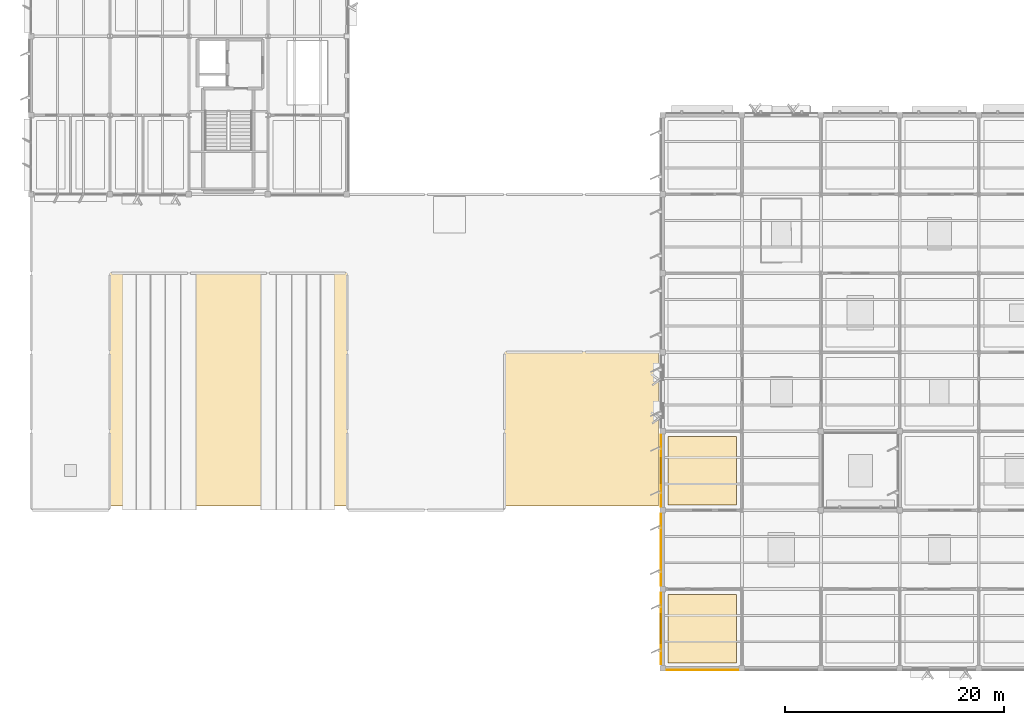
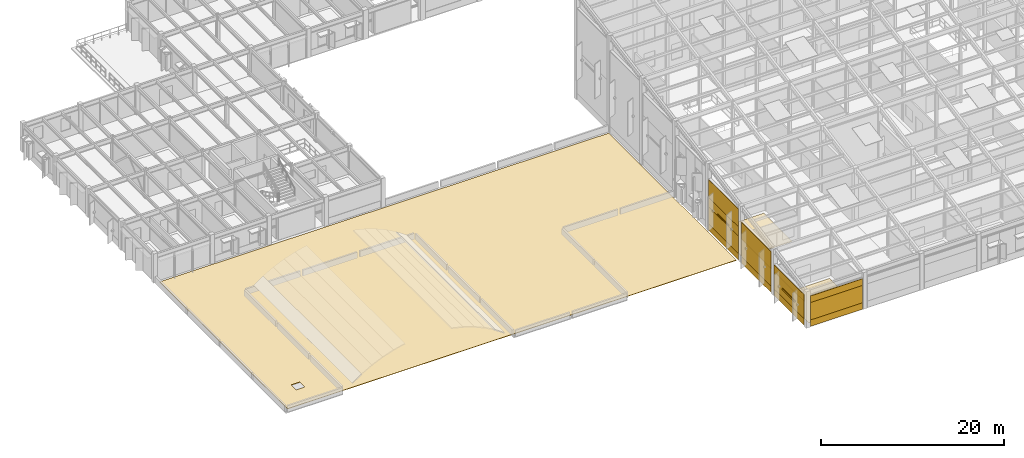
# One storey, part 70 of 82: 15 coverings, 2 shading devices.
"""IFC4 building model written with IfcOpenShell, lengths in metres."""

from ifc_helpers import new_model, si_unit, direction, frame, frame_2d, origin, origin_2d, place, context, subcontext, project, spatial, polyline, rectangle, outline, extrude, material, layer, layer_set, type_object, element, save


model = new_model("IFC4")

# Units and contexts
model_context = context("Model", 3, precision=1e-05, world=origin(), true_north=direction((0.0, 1.0)))
body_context = subcontext(model_context, "Body", "Model", "MODEL_VIEW")
ifc_project = project(units=[si_unit("LENGTHUNIT", "METRE"), si_unit("AREAUNIT", "SQUARE_METRE"), si_unit("VOLUMEUNIT", "CUBIC_METRE"), si_unit("PLANEANGLEUNIT", "RADIAN"), si_unit("MASSUNIT", "GRAM", prefix="KILO")], contexts=[model_context])

# Site, building, storey
site_placement = place(None, origin())
site = spatial("IfcSite", under=ifc_project, at=site_placement, CompositionType="ELEMENT")
building_placement = place(site_placement, origin())
building = spatial("IfcBuilding", under=site, at=building_placement, Name="Sillqori Civic Hall", CompositionType="ELEMENT")
storey_placement = place(building_placement, frame((0.0, 0.0, 14.10009765625)))
storey = spatial("IfcBuildingStorey", under=building, at=storey_placement, Name="L04", CompositionType="ELEMENT", Elevation=14.10009765625)

# Coverings
ifc_material_1 = material(Name="Cochabamba Honed Limestone Cladding", Category="masonry")
ifc_layer_1 = layer(ifc_material_1, 0.044921875)
ifc_layer_set_1 = layer_set([ifc_layer_1], Name="Cochabamba Honed Limestone Cladding")
covering_type_1 = type_object("IfcCoveringType", Name="COV-CLAD-LIME", PredefinedType="CLADDING", material=ifc_layer_set_1)
covering_1_placement = place(storey_placement, frame((71.669921875, 7.02001953125, 0.039794921875), z_axis=(0.0, 0.0, 1.0), x_axis=(-1.0, 0.0, 0.0)))
element("IfcCovering", 1, at=covering_1_placement, inside=storey, type_object=covering_type_1, Name="L04 limestone spandrel cladding L04-09-01-S", PredefinedType="CLADDING", context=body_context, shape_type="SweptSolid", body=[
    extrude(rectangle(XDim=6.5400390625, YDim=0.044921875, at=frame_2d((3.27001953125, 0.0))), origin(), (0.0, 0.0, 1.0), 0.860107421875),
])
covering_2_placement = place(storey_placement, frame((71.669921875, 7.02001953125, 3.219970703125), z_axis=(0.0, 0.0, 1.0), x_axis=(-1.0, 0.0, 0.0)))
element("IfcCovering", 2, at=covering_2_placement, inside=storey, type_object=covering_type_1, Name="L04 limestone frieze cladding L04-09-01-S", PredefinedType="CLADDING", context=body_context, shape_type="SweptSolid", body=[
    extrude(rectangle(XDim=6.5400390625, YDim=0.044921875, at=frame_2d((3.27001953125, 0.0))), origin(), (0.0, 0.0, 1.0), 0.88916015625),
])
covering_3_placement = place(storey_placement, frame((71.669921875, 7.02001953125, 0.89990234375), z_axis=(0.0, 0.0, 1.0), x_axis=(-1.0, 0.0, 0.0)))
element("IfcCovering", 3, at=covering_3_placement, inside=storey, type_object=covering_type_1, Name="L04 Wedge Hall limestone pier cladding L04-09-01-S.1", PredefinedType="CLADDING", context=body_context, shape_type="SweptSolid", body=[
    extrude(rectangle(XDim=6.5400390625, YDim=0.044921875, at=frame_2d((3.27001953125, 0.0))), origin(), (0.0, 0.0, 1.0), 3.209228515625),
])
covering_4_placement = place(storey_placement, frame((64.6201171875, 7.530029296875, 0.039794921875), z_axis=(0.0, 0.0, 1.0), x_axis=(0.0, 1.0, 0.0)))
element("IfcCovering", 4, at=covering_4_placement, inside=storey, type_object=covering_type_1, Name="L04 limestone spandrel cladding L04-09-01-W", PredefinedType="CLADDING", context=body_context, shape_type="SweptSolid", body=[
    extrude(rectangle(XDim=6.5400390625, YDim=0.044921875, at=frame_2d((3.27001953125, 0.0))), origin(), (0.0, 0.0, 1.0), 0.860107421875),
])
covering_5_placement = place(storey_placement, frame((64.6201171875, 7.530029296875, 3.219970703125), z_axis=(0.0, 0.0, 1.0), x_axis=(0.0, 1.0, 0.0)))
element("IfcCovering", 5, at=covering_5_placement, inside=storey, type_object=covering_type_1, Name="L04 limestone frieze cladding L04-09-01-W", PredefinedType="CLADDING", context=body_context, shape_type="SweptSolid", body=[
    extrude(rectangle(XDim=6.5400390625, YDim=0.044921875, at=frame_2d((3.27001953125, 0.0))), origin(), (0.0, 0.0, 1.0), 0.933349609375),
])
covering_6_placement = place(storey_placement, frame((64.6201171875, 7.530029296875, 0.89990234375), z_axis=(0.0, 0.0, 1.0), x_axis=(0.0, 1.0, 0.0)))
element("IfcCovering", 6, at=covering_6_placement, inside=storey, type_object=covering_type_1, Name="L04 Wedge Hall limestone pier cladding L04-09-01-W.1", PredefinedType="CLADDING", context=body_context, shape_type="SweptSolid", body=[
    extrude(rectangle(XDim=6.5400390625, YDim=0.044921875, at=frame_2d((3.27001953125, 0.0))), origin(), (0.0, 0.0, 1.0), 3.25341796875),
])
covering_7_placement = place(storey_placement, frame((64.6201171875, 14.72998046875, 0.039794921875), z_axis=(0.0, 0.0, 1.0), x_axis=(0.0, 1.0, 0.0)))
element("IfcCovering", 7, at=covering_7_placement, inside=storey, type_object=covering_type_1, Name="L04 limestone spandrel cladding L04-09-02-W", PredefinedType="CLADDING", context=body_context, shape_type="SweptSolid", body=[
    extrude(rectangle(XDim=6.5400390625, YDim=0.044921875, at=frame_2d((3.27001953125, 0.0))), origin(), (0.0, 0.0, 1.0), 0.860107421875),
])
covering_8_placement = place(storey_placement, frame((64.6201171875, 14.72998046875, 3.219970703125), z_axis=(0.0, 0.0, 1.0), x_axis=(0.0, 1.0, 0.0)))
element("IfcCovering", 8, at=covering_8_placement, inside=storey, type_object=covering_type_1, Name="L04 limestone frieze cladding L04-09-02-W", PredefinedType="CLADDING", context=body_context, shape_type="SweptSolid", body=[
    extrude(rectangle(XDim=6.5400390625, YDim=0.044921875, at=frame_2d((3.27001953125, 0.0))), origin(), (0.0, 0.0, 1.0), 2.276123046875),
])
covering_9_placement = place(storey_placement, frame((64.6201171875, 14.72998046875, 0.89990234375), z_axis=(0.0, 0.0, 1.0), x_axis=(0.0, 1.0, 0.0)))
element("IfcCovering", 9, at=covering_9_placement, inside=storey, type_object=covering_type_1, Name="L04 Wedge Hall limestone pier cladding L04-09-02-W.1", PredefinedType="CLADDING", context=body_context, shape_type="SweptSolid", body=[
    extrude(rectangle(XDim=6.5400390625, YDim=0.044921875, at=frame_2d((3.27001953125, 0.0))), origin(), (0.0, 0.0, 1.0), 4.59619140625),
])
covering_10_placement = place(storey_placement, frame((64.6201171875, 21.929931640625, 0.039794921875), z_axis=(0.0, 0.0, 1.0), x_axis=(0.0, 1.0, 0.0)))
element("IfcCovering", 10, at=covering_10_placement, inside=storey, type_object=covering_type_1, Name="L04 limestone spandrel cladding L04-09-03-W", PredefinedType="CLADDING", context=body_context, shape_type="SweptSolid", body=[
    extrude(rectangle(XDim=6.5400390625, YDim=0.044921875, at=frame_2d((3.27001953125, 0.0))), origin(), (0.0, 0.0, 1.0), 0.860107421875),
])
covering_11_placement = place(storey_placement, frame((64.6201171875, 21.929931640625, 3.219970703125), z_axis=(0.0, 0.0, 1.0), x_axis=(0.0, 1.0, 0.0)))
element("IfcCovering", 11, at=covering_11_placement, inside=storey, type_object=covering_type_1, Name="L04 limestone mid-spandrel cladding L04-09-03-W", PredefinedType="CLADDING", context=body_context, shape_type="SweptSolid", body=[
    extrude(rectangle(XDim=6.5400390625, YDim=0.044921875, at=frame_2d((3.27001953125, 0.0))), origin(), (0.0, 0.0, 1.0), 1.260009765625),
])
covering_12_placement = place(storey_placement, frame((64.6201171875, 21.929931640625, 0.89990234375), z_axis=(0.0, 0.0, 1.0), x_axis=(0.0, 1.0, 0.0)))
element("IfcCovering", 12, at=covering_12_placement, inside=storey, type_object=covering_type_1, Name="L04 Wedge Hall limestone pier cladding L04-09-03-W.1", PredefinedType="CLADDING", context=body_context, shape_type="SweptSolid", body=[
    extrude(rectangle(XDim=6.5400390625, YDim=0.044921875, at=frame_2d((3.27001953125, 0.0))), origin(), (0.0, 0.0, 1.0), 5.939208984375),
])
ifc_material_2 = material(Name="Dust-Sealed Heavy-Duty Archive Epoxy", Category="resin")
ifc_layer_2 = layer(ifc_material_2, 0.014892578125)
ifc_layer_set_2 = layer_set([ifc_layer_2], Name="Dust-Sealed Heavy-Duty Archive Epoxy")
covering_type_2 = type_object("IfcCoveringType", Name="COV-FLR-EPX", PredefinedType="FLOORING", material=ifc_layer_set_2)
covering_13_placement = place(storey_placement, origin())
element("IfcCovering", 13, at=covering_13_placement, inside=storey, type_object=covering_type_2, Name="Metropolitan Regional Assembly Forum floor finish", PredefinedType="FLOORING", context=body_context, shape_type="SweptSolid", body=[
    extrude(outline(polyline([(65.280029296875, 22.080078125), (71.52001953125, 22.080078125), (71.52001953125, 28.320068359375), (65.280029296875, 28.320068359375), (65.280029296875, 22.080078125)])), origin(), (0.0, 0.0, 1.0), 0.014892578125),
])
ifc_material_3 = material(Name="Slip-Resistant R11 Porcelain Tile", Category="ceramic")
ifc_layer_3 = layer(ifc_material_3, 0.02001953125)
ifc_layer_set_3 = layer_set([ifc_layer_3], Name="Slip-Resistant R11 Porcelain Tile")
covering_type_3 = type_object("IfcCoveringType", Name="COV-FLR-POR", PredefinedType="FLOORING", material=ifc_layer_set_3)
covering_14_placement = place(storey_placement, origin())
element("IfcCovering", 14, at=covering_14_placement, inside=storey, type_object=covering_type_3, Name="Wedge Sky-Lit Public Exhibition Hall floor finish", PredefinedType="FLOORING", context=body_context, shape_type="SweptSolid", body=[
    extrude(outline(polyline([(65.280029296875, 7.679931640625), (71.52001953125, 7.679931640625), (71.52001953125, 13.919921875), (65.280029296875, 13.919921875), (65.280029296875, 7.679931640625)])), origin(), (0.0, 0.0, 1.0), 0.02001953125),
])
ifc_material_4 = material(Name="Insulated Standing-Seam Solar Roof Membrane", Category="membrane")
ifc_layer_4 = layer(ifc_material_4, 0.054931640625)
ifc_layer_set_4 = layer_set([ifc_layer_4], Name="Insulated Standing-Seam Solar Roof Membrane")
covering_type_4 = type_object("IfcCoveringType", Name="COV-ROOF-TPO", PredefinedType="ROOFING", material=ifc_layer_set_4)
covering_15_placement = place(storey_placement, origin())
element("IfcCovering", 15, at=covering_15_placement, inside=storey, type_object=covering_type_4, Name="L04 insulated TPO roof membrane ROOF-FLAT-L03-1", PredefinedType="ROOFING", context=body_context, shape_type="SweptSolid", body=[
    extrude(outline(polyline([(7.60009765625, 22.0), (64.39990234375, 22.0), (64.39990234375, 50.0), (7.60009765625, 50.0), (7.60009765625, 22.0)]), holes=[polyline([(10.25, 24.64990234375), (10.25, 25.75), (11.35009765625, 25.75), (11.35009765625, 24.64990234375), (10.25, 24.64990234375)])]), origin(), (0.0, 0.0, 1.0), 0.054931640625),
])

# Shading devices
ifc_material_5 = material(Name="Anodized Aluminium Solar Control Louvre", Category="aluminium")
shading_device_type_1 = type_object("IfcShadingDeviceType", Name="SHD-CLAU-240", PredefinedType="SHUTTER", material=ifc_material_5)
shading_device_1_placement = place(storey_placement, frame((64.580078125, 25.199951171875, 3.36962890625), z_axis=(0.0, 0.0, 1.0), x_axis=(0.0, 1.0, 0.0)))
element("IfcShadingDevice", 16, at=shading_device_1_placement, inside=storey, type_object=shading_device_type_1, Name="L04 pierced claustra screen L04-09-03-W", PredefinedType="SHUTTER", context=body_context, shape_type="SweptSolid", body=[
    extrude(rectangle(XDim=2.39990234375, YDim=0.159912109375, at=origin_2d()), origin(), (0.0, 0.0, 1.0), 0.139892578125),
])
shading_device_type_2 = type_object("IfcShadingDeviceType", Name="SHD-CLAU-280", PredefinedType="SHUTTER", material=ifc_material_5)
shading_device_2_placement = place(storey_placement, frame((64.580078125, 10.800048828125, 2.0166015625), z_axis=(0.0, 0.0, 1.0), x_axis=(0.0, 1.0, 0.0)))
element("IfcShadingDevice", 17, at=shading_device_2_placement, inside=storey, type_object=shading_device_type_2, Name="L04 pierced claustra screen L04-09-01-W", PredefinedType="SHUTTER", context=body_context, shape_type="SweptSolid", body=[
    extrude(rectangle(XDim=2.800048828125, YDim=0.159912109375, at=origin_2d()), origin(), (0.0, 0.0, 1.0), 0.159912109375),
])

save(model, "model.ifc")
